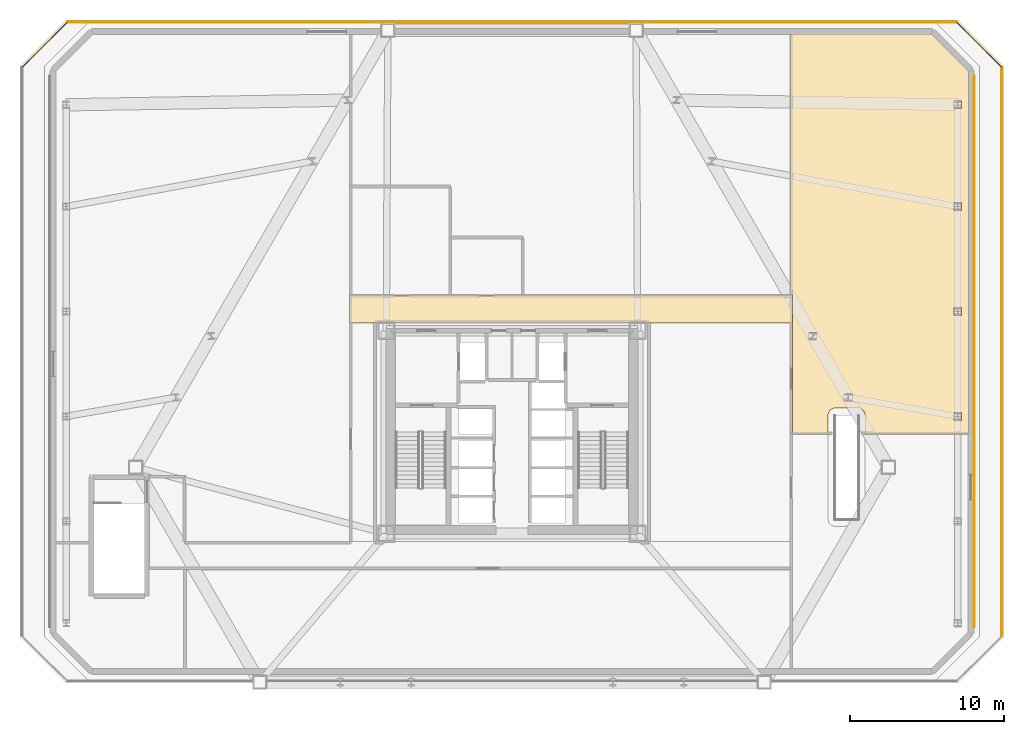
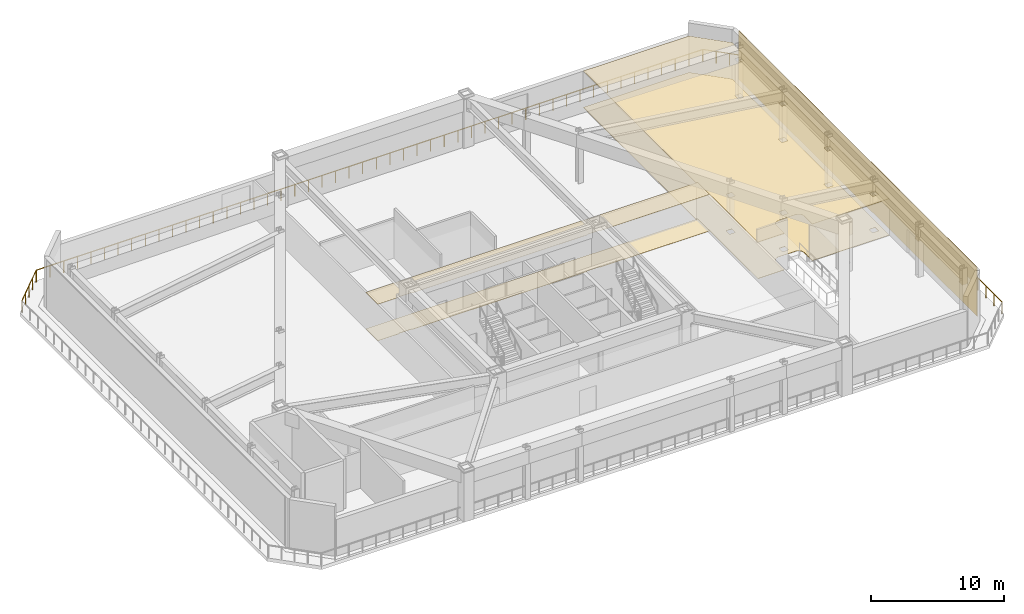
# One storey, part 10 of 10: 5 coverings, 4 railings.
"""IFC4 building model written with IfcOpenShell, lengths in metres."""

from ifc_helpers import new_model, si_unit, direction, frame, origin, origin_2d, place, context, subcontext, project, spatial, polyline, rectangle, circle, outline, extrude, material, layer, layer_set, type_object, element, save


model = new_model("IFC4")

# Units and contexts
model_context = context("Model", 3, precision=1e-05, world=origin(), true_north=direction((0.0, 1.0)))
body_context = subcontext(model_context, "Body", "Model", "MODEL_VIEW")
ifc_project = project(units=[si_unit("LENGTHUNIT", "METRE"), si_unit("AREAUNIT", "SQUARE_METRE"), si_unit("VOLUMEUNIT", "CUBIC_METRE"), si_unit("PLANEANGLEUNIT", "RADIAN"), si_unit("MASSUNIT", "GRAM", prefix="KILO")], contexts=[model_context])

# Site, building, storey
site_placement = place(None, origin())
site = spatial("IfcSite", under=ifc_project, at=site_placement, CompositionType="ELEMENT")
building_placement = place(site_placement, origin())
building = spatial("IfcBuilding", under=site, at=building_placement, Name="Oramaril Tower", CompositionType="ELEMENT")
storey_placement = place(building_placement, frame((0.0, 0.0, 22.5)))
storey = spatial("IfcBuildingStorey", under=building, at=storey_placement, Name="L05", CompositionType="ELEMENT", Elevation=22.5)

# Coverings
ifc_material_1 = material(Name="Mineral Fibre Acoustic Ceiling")
ifc_layer_1 = layer(ifc_material_1, 0.02001953125)
ifc_layer_set_1 = layer_set([ifc_layer_1], Name="CVT-CEIL")
covering_type_1 = type_object("IfcCoveringType", Name="CVT-CEIL", PredefinedType="CEILING", material=ifc_layer_set_1)
covering_1_placement = place(storey_placement, frame((0.0, 0.0, 3.342041015625)))
element("IfcCovering", 1, at=covering_1_placement, inside=storey, type_object=covering_type_1, Name="L05 Acoustic Suspended Ceiling 2", PredefinedType="CEILING", context=body_context, shape_type="SweptSolid", body=[
    extrude(outline(polyline([(55.679931640625, 26.47998046875), (55.679931640625, 24.669921875), (46.219970703125, 24.669921875), (46.219970703125, 24.719970703125), (45.080078125, 24.719970703125), (45.080078125, 24.669921875), (29.919921875, 24.669921875), (29.919921875, 24.719970703125), (28.780029296875, 24.719970703125), (28.780029296875, 24.669921875), (26.969970703125, 24.669921875), (26.969970703125, 26.47998046875), (55.679931640625, 26.47998046875)])), origin(), (0.0, 0.0, 1.0), 0.02001953125),
])
covering_2_placement = place(storey_placement, frame((0.0, 0.0, 3.342041015625)))
element("IfcCovering", 2, at=covering_2_placement, inside=storey, type_object=covering_type_1, Name="L05 Acoustic Suspended Ceiling 6", PredefinedType="CEILING", context=body_context, shape_type="SweptSolid", body=[
    extrude(outline(polyline([(67.08203125, 41.002685546875), (67.08203125, 17.4580078125), (60.403076171875, 17.4580078125), (60.403076171875, 18.66455078125), (60.381591796875, 18.80810546875), (60.32177734375, 18.9345703125), (60.227783203125, 19.038330078125), (60.10595703125, 19.111328125), (60.018310546875, 19.137939453125), (59.922119140625, 19.1474609375), (58.43017578125, 19.14501953125), (58.29248046875, 19.1103515625), (58.170654296875, 19.037353515625), (58.105712890625, 18.972412109375), (58.0537109375, 18.894775390625), (58.017822265625, 18.80810546875), (57.99951171875, 18.71630859375), (57.996826171875, 17.4580078125), (55.699951171875, 17.4580078125), (55.699951171875, 24.64990234375), (55.699951171875, 24.652099609375), (55.69970703125, 24.65380859375), (55.69921875, 24.65576171875), (55.698486328125, 24.65771484375), (55.697509765625, 24.659423828125), (55.697265625, 24.659912109375), (55.697509765625, 24.66064453125), (55.698486328125, 24.662353515625), (55.69921875, 24.664306640625), (55.69970703125, 24.666015625), (55.699951171875, 24.66796875), (55.699951171875, 24.669921875), (55.699951171875, 26.47998046875), (55.699951171875, 26.48193359375), (55.69970703125, 26.48388671875), (55.69921875, 26.48583984375), (55.698486328125, 26.48779296875), (55.697509765625, 26.489501953125), (55.696533203125, 26.4912109375), (55.695556640625, 26.49267578125), (55.694091796875, 26.494140625), (55.692626953125, 26.49560546875), (55.691162109375, 26.49658203125), (55.689453125, 26.49755859375), (55.687744140625, 26.49853515625), (55.685791015625, 26.4990234375), (55.683837890625, 26.49951171875), (55.681884765625, 26.5), (55.679931640625, 26.5), (55.55810546875, 26.5), (55.55810546875, 43.382080078125), (64.70263671875, 43.382080078125), (67.08203125, 41.002685546875)]), holes=[polyline([(66.652587890625, 18.8525390625), (66.1474609375, 18.8525390625), (66.1474609375, 18.347412109375), (66.652587890625, 18.347412109375), (66.652587890625, 18.8525390625)]), polyline([(59.544921875, 20.0869140625), (59.039794921875, 20.0869140625), (59.039794921875, 19.581787109375), (59.544921875, 19.581787109375), (59.544921875, 20.0869140625)]), polyline([(57.254150390625, 24.054443359375), (56.749267578125, 24.054443359375), (56.749267578125, 23.549560546875), (57.254150390625, 23.549560546875), (57.254150390625, 24.054443359375)]), polyline([(66.652587890625, 25.1474609375), (66.652587890625, 25.652587890625), (66.1474609375, 25.652587890625), (66.1474609375, 25.1474609375), (66.652587890625, 25.1474609375)]), polyline([(66.652587890625, 32.452392578125), (66.1474609375, 32.452392578125), (66.1474609375, 31.947509765625), (66.652587890625, 31.947509765625), (66.652587890625, 32.452392578125)]), polyline([(66.652587890625, 39.052490234375), (66.1474609375, 39.052490234375), (66.1474609375, 38.547607421875), (66.652587890625, 38.547607421875), (66.652587890625, 39.052490234375)])]), origin(), (0.0, 0.0, 1.0), 0.02001953125),
])
ifc_material_2 = material(Name="Warm Cream Limestone", Category="masonry")
ifc_layer_2 = layer(ifc_material_2, 0.050048828125)
ifc_layer_set_2 = layer_set([ifc_layer_2], Name="CVT-CLD")
covering_type_2 = type_object("IfcCoveringType", Name="CVT-CLD", PredefinedType="CLADDING", material=ifc_layer_set_2)
covering_3_placement = place(storey_placement, frame((67.462890625, 22.800048828125, 0.050048828125), z_axis=(0.0, 0.0, 1.0), x_axis=(0.0, 1.0, 0.0)))
element("IfcCovering", 3, at=covering_3_placement, inside=storey, type_object=covering_type_2, Name="L05 Warm Cream Limestone Cladding", PredefinedType="CLADDING", context=body_context, shape_type="SweptSolid", body=[
    extrude(rectangle(XDim=35.744384765625, YDim=0.050048828125, at=origin_2d()), origin(), (0.0, 0.0, 1.0), 4.4599609375),
])
ifc_material_3 = material(Name="Honed Quartzite Stone Flooring", Category="masonry")
ifc_layer_3 = layer(ifc_material_3, 0.02490234375)
ifc_layer_set_3 = layer_set([ifc_layer_3], Name="CVT-FLR")
covering_type_3 = type_object("IfcCoveringType", Name="CVT-FLR", PredefinedType="FLOORING", material=ifc_layer_set_3)
covering_4_placement = place(storey_placement, origin())
element("IfcCovering", 4, at=covering_4_placement, inside=storey, type_object=covering_type_3, Name="L05 Honed Stone Floor Finish 2", PredefinedType="FLOORING", context=body_context, shape_type="SweptSolid", body=[
    extrude(outline(polyline([(55.679931640625, 26.47998046875), (55.679931640625, 24.669921875), (46.219970703125, 24.669921875), (46.219970703125, 24.719970703125), (45.080078125, 24.719970703125), (45.080078125, 24.669921875), (29.919921875, 24.669921875), (29.919921875, 24.719970703125), (28.780029296875, 24.719970703125), (28.780029296875, 24.669921875), (26.969970703125, 24.669921875), (26.969970703125, 26.47998046875), (55.679931640625, 26.47998046875)])), origin(), (0.0, 0.0, 1.0), 0.02490234375),
])
covering_5_placement = place(storey_placement, origin())
element("IfcCovering", 5, at=covering_5_placement, inside=storey, type_object=covering_type_3, Name="L05 Honed Stone Floor Finish 6", PredefinedType="FLOORING", context=body_context, shape_type="SweptSolid", body=[
    extrude(outline(polyline([(67.08203125, 41.002685546875), (67.08203125, 17.4580078125), (60.403076171875, 17.4580078125), (60.403076171875, 18.66455078125), (60.381591796875, 18.80810546875), (60.32177734375, 18.9345703125), (60.227783203125, 19.038330078125), (60.10595703125, 19.111328125), (60.018310546875, 19.137939453125), (59.922119140625, 19.1474609375), (58.43017578125, 19.14501953125), (58.29248046875, 19.1103515625), (58.170654296875, 19.037353515625), (58.105712890625, 18.972412109375), (58.0537109375, 18.894775390625), (58.017822265625, 18.80810546875), (57.99951171875, 18.71630859375), (57.996826171875, 17.4580078125), (55.699951171875, 17.4580078125), (55.699951171875, 24.64990234375), (55.699951171875, 24.652099609375), (55.69970703125, 24.65380859375), (55.69921875, 24.65576171875), (55.698486328125, 24.65771484375), (55.697509765625, 24.659423828125), (55.697265625, 24.659912109375), (55.697509765625, 24.66064453125), (55.698486328125, 24.662353515625), (55.69921875, 24.664306640625), (55.69970703125, 24.666015625), (55.699951171875, 24.66796875), (55.699951171875, 24.669921875), (55.699951171875, 26.47998046875), (55.699951171875, 26.48193359375), (55.69970703125, 26.48388671875), (55.69921875, 26.48583984375), (55.698486328125, 26.48779296875), (55.697509765625, 26.489501953125), (55.696533203125, 26.4912109375), (55.695556640625, 26.49267578125), (55.694091796875, 26.494140625), (55.692626953125, 26.49560546875), (55.691162109375, 26.49658203125), (55.689453125, 26.49755859375), (55.687744140625, 26.49853515625), (55.685791015625, 26.4990234375), (55.683837890625, 26.49951171875), (55.681884765625, 26.5), (55.679931640625, 26.5), (55.55810546875, 26.5), (55.55810546875, 43.382080078125), (64.70263671875, 43.382080078125), (67.08203125, 41.002685546875)]), holes=[polyline([(66.652587890625, 18.8525390625), (66.1474609375, 18.8525390625), (66.1474609375, 18.347412109375), (66.652587890625, 18.347412109375), (66.652587890625, 18.8525390625)]), polyline([(59.544921875, 20.0869140625), (59.039794921875, 20.0869140625), (59.039794921875, 19.581787109375), (59.544921875, 19.581787109375), (59.544921875, 20.0869140625)]), polyline([(57.254150390625, 24.054443359375), (56.749267578125, 24.054443359375), (56.749267578125, 23.549560546875), (57.254150390625, 23.549560546875), (57.254150390625, 24.054443359375)]), polyline([(66.652587890625, 25.1474609375), (66.652587890625, 25.652587890625), (66.1474609375, 25.652587890625), (66.1474609375, 25.1474609375), (66.652587890625, 25.1474609375)]), polyline([(66.652587890625, 32.452392578125), (66.1474609375, 32.452392578125), (66.1474609375, 31.947509765625), (66.652587890625, 31.947509765625), (66.652587890625, 32.452392578125)]), polyline([(66.652587890625, 39.052490234375), (66.1474609375, 39.052490234375), (66.1474609375, 38.547607421875), (66.652587890625, 38.547607421875), (66.652587890625, 39.052490234375)])]), origin(), (0.0, 0.0, 1.0), 0.02490234375),
])

# Railings
ifc_material_4 = material(Name="Stainless Steel 316L", Category="steel")
railing_type = type_object("IfcRailingType", Name="RLT-GRD", PredefinedType="GUARDRAIL", material=ifc_material_4)
railing_1_placement = place(storey_placement, frame((69.260009765625, 4.387939453125, 0.0)))
element("IfcRailing", 6, at=railing_1_placement, inside=storey, type_object=railing_type, Name="L05 Podium Terrace Guardrail 03", PredefinedType="GUARDRAIL", context=body_context, shape_type="SweptSolid", body=[
    extrude(circle(Radius=0.02392578125, at=origin_2d()), frame((0.0, 0.0, 1.076171875), z_axis=(0.0, 1.0, 0.0), x_axis=(-1.0, 0.0, 0.0)), (0.0, 0.0, 1.0), 36.823974609375),
    extrude(circle(Radius=0.02099609375, at=origin_2d()), origin(), (0.0, 0.0, 1.0), 1.052001953125),
    extrude(circle(Radius=0.02099609375, at=origin_2d()), frame((0.0, 1.18798828125, 0.0)), (0.0, 0.0, 1.0), 1.052001953125),
    extrude(circle(Radius=0.02099609375, at=origin_2d()), frame((0.0, 2.375732421875, 0.0)), (0.0, 0.0, 1.0), 1.052001953125),
    extrude(circle(Radius=0.02099609375, at=origin_2d()), frame((0.0, 3.563720703125, 0.0)), (0.0, 0.0, 1.0), 1.052001953125),
    extrude(circle(Radius=0.02099609375, at=origin_2d()), frame((0.0, 4.75146484375, 0.0)), (0.0, 0.0, 1.0), 1.052001953125),
    extrude(circle(Radius=0.02099609375, at=origin_2d()), frame((0.0, 5.939453125, 0.0)), (0.0, 0.0, 1.0), 1.052001953125),
    extrude(circle(Radius=0.02099609375, at=origin_2d()), frame((0.0, 7.127197265625, 0.0)), (0.0, 0.0, 1.0), 1.052001953125),
    extrude(circle(Radius=0.02099609375, at=origin_2d()), frame((0.0, 8.315185546875, 0.0)), (0.0, 0.0, 1.0), 1.052001953125),
    extrude(circle(Radius=0.02099609375, at=origin_2d()), frame((0.0, 9.5029296875, 0.0)), (0.0, 0.0, 1.0), 1.052001953125),
    extrude(circle(Radius=0.02099609375, at=origin_2d()), frame((0.0, 10.69091796875, 0.0)), (0.0, 0.0, 1.0), 1.052001953125),
    extrude(circle(Radius=0.02099609375, at=origin_2d()), frame((0.0, 11.878662109375, 0.0)), (0.0, 0.0, 1.0), 1.052001953125),
    extrude(circle(Radius=0.02099609375, at=origin_2d()), frame((0.0, 13.066650390625, 0.0)), (0.0, 0.0, 1.0), 1.052001953125),
    extrude(circle(Radius=0.02099609375, at=origin_2d()), frame((0.0, 14.25439453125, 0.0)), (0.0, 0.0, 1.0), 1.052001953125),
    extrude(circle(Radius=0.02099609375, at=origin_2d()), frame((0.0, 15.4423828125, 0.0)), (0.0, 0.0, 1.0), 1.052001953125),
    extrude(circle(Radius=0.02099609375, at=origin_2d()), frame((0.0, 16.630126953125, 0.0)), (0.0, 0.0, 1.0), 1.052001953125),
    extrude(circle(Radius=0.02099609375, at=origin_2d()), frame((0.0, 17.818115234375, 0.0)), (0.0, 0.0, 1.0), 1.052001953125),
    extrude(circle(Radius=0.02099609375, at=origin_2d()), frame((0.0, 19.005859375, 0.0)), (0.0, 0.0, 1.0), 1.052001953125),
    extrude(circle(Radius=0.02099609375, at=origin_2d()), frame((0.0, 20.19384765625, 0.0)), (0.0, 0.0, 1.0), 1.052001953125),
    extrude(circle(Radius=0.02099609375, at=origin_2d()), frame((0.0, 21.381591796875, 0.0)), (0.0, 0.0, 1.0), 1.052001953125),
    extrude(circle(Radius=0.02099609375, at=origin_2d()), frame((0.0, 22.569580078125, 0.0)), (0.0, 0.0, 1.0), 1.052001953125),
    extrude(circle(Radius=0.02099609375, at=origin_2d()), frame((0.0, 23.75732421875, 0.0)), (0.0, 0.0, 1.0), 1.052001953125),
    extrude(circle(Radius=0.02099609375, at=origin_2d()), frame((0.0, 24.9453125, 0.0)), (0.0, 0.0, 1.0), 1.052001953125),
    extrude(circle(Radius=0.02099609375, at=origin_2d()), frame((0.0, 26.133056640625, 0.0)), (0.0, 0.0, 1.0), 1.052001953125),
    extrude(circle(Radius=0.02099609375, at=origin_2d()), frame((0.0, 27.321044921875, 0.0)), (0.0, 0.0, 1.0), 1.052001953125),
    extrude(circle(Radius=0.02099609375, at=origin_2d()), frame((0.0, 28.5087890625, 0.0)), (0.0, 0.0, 1.0), 1.052001953125),
    extrude(circle(Radius=0.02099609375, at=origin_2d()), frame((0.0, 29.69677734375, 0.0)), (0.0, 0.0, 1.0), 1.052001953125),
    extrude(circle(Radius=0.02099609375, at=origin_2d()), frame((0.0, 30.884521484375, 0.0)), (0.0, 0.0, 1.0), 1.052001953125),
    extrude(circle(Radius=0.02099609375, at=origin_2d()), frame((0.0, 32.072509765625, 0.0)), (0.0, 0.0, 1.0), 1.052001953125),
    extrude(circle(Radius=0.02099609375, at=origin_2d()), frame((0.0, 33.26025390625, 0.0)), (0.0, 0.0, 1.0), 1.052001953125),
    extrude(circle(Radius=0.02099609375, at=origin_2d()), frame((0.0, 34.4482421875, 0.0)), (0.0, 0.0, 1.0), 1.052001953125),
    extrude(circle(Radius=0.02099609375, at=origin_2d()), frame((0.0, 35.635986328125, 0.0)), (0.0, 0.0, 1.0), 1.052001953125),
    extrude(circle(Radius=0.02099609375, at=origin_2d()), frame((0.0, 36.823974609375, 0.0)), (0.0, 0.0, 1.0), 1.052001953125),
])
railing_2_placement = place(storey_placement, frame((69.23876953125, 41.26318359375, 0.0)))
element("IfcRailing", 7, at=railing_2_placement, inside=storey, type_object=railing_type, Name="L05 Podium Terrace Guardrail 04", PredefinedType="GUARDRAIL", context=body_context, shape_type="SweptSolid", body=[
    extrude(circle(Radius=0.02392578125, at=origin_2d()), frame((0.0, 0.0, 1.076171875), z_axis=(-0.707076763706, 0.707136797393, 0.0), x_axis=(-0.707136797393, -0.707076763706, 0.0)), (0.0, 0.0, 1.0), 4.066650390625),
    extrude(circle(Radius=0.02099609375, at=origin_2d()), origin(), (0.0, 0.0, 1.0), 1.052001953125),
    extrude(circle(Radius=0.02099609375, at=origin_2d()), frame((-0.71875, 0.718994140625, 0.0)), (0.0, 0.0, 1.0), 1.052001953125),
    extrude(circle(Radius=0.02099609375, at=origin_2d()), frame((-1.437744140625, 1.43798828125, 0.0)), (0.0, 0.0, 1.0), 1.052001953125),
    extrude(circle(Radius=0.02099609375, at=origin_2d()), frame((-2.15673828125, 2.15673828125, 0.0)), (0.0, 0.0, 1.0), 1.052001953125),
    extrude(circle(Radius=0.02099609375, at=origin_2d()), frame((-2.87548828125, 2.875732421875, 0.0)), (0.0, 0.0, 1.0), 1.052001953125),
])
railing_3_placement = place(storey_placement, frame((66.31201171875, 44.159912109375, 0.0)))
element("IfcRailing", 8, at=railing_3_placement, inside=storey, type_object=railing_type, Name="L05 Podium Terrace Guardrail 05", PredefinedType="GUARDRAIL", context=body_context, shape_type="SweptSolid", body=[
    extrude(circle(Radius=0.02392578125, at=origin_2d()), frame((0.0, 0.0, 1.076171875), z_axis=(-1.0, 0.0, 0.0), x_axis=(0.0, -1.0, 0.0)), (0.0, 0.0, 1.0), 57.6240234375),
    extrude(circle(Radius=0.02099609375, at=origin_2d()), origin(), (0.0, 0.0, 1.0), 1.052001953125),
    extrude(circle(Radius=0.02099609375, at=origin_2d()), frame((-1.176025390625, 0.0, 0.0)), (0.0, 0.0, 1.0), 1.052001953125),
    extrude(circle(Radius=0.02099609375, at=origin_2d()), frame((-2.35205078125, 0.0, 0.0)), (0.0, 0.0, 1.0), 1.052001953125),
    extrude(circle(Radius=0.02099609375, at=origin_2d()), frame((-3.528076171875, 0.0, 0.0)), (0.0, 0.0, 1.0), 1.052001953125),
    extrude(circle(Radius=0.02099609375, at=origin_2d()), frame((-4.7041015625, 0.0, 0.0)), (0.0, 0.0, 1.0), 1.052001953125),
    extrude(circle(Radius=0.02099609375, at=origin_2d()), frame((-5.8798828125, 0.0, 0.0)), (0.0, 0.0, 1.0), 1.052001953125),
    extrude(circle(Radius=0.02099609375, at=origin_2d()), frame((-7.055908203125, 0.0, 0.0)), (0.0, 0.0, 1.0), 1.052001953125),
    extrude(circle(Radius=0.02099609375, at=origin_2d()), frame((-8.23193359375, 0.0, 0.0)), (0.0, 0.0, 1.0), 1.052001953125),
    extrude(circle(Radius=0.02099609375, at=origin_2d()), frame((-9.407958984375, 0.0, 0.0)), (0.0, 0.0, 1.0), 1.052001953125),
    extrude(circle(Radius=0.02099609375, at=origin_2d()), frame((-10.583984375, 0.0, 0.0)), (0.0, 0.0, 1.0), 1.052001953125),
    extrude(circle(Radius=0.02099609375, at=origin_2d()), frame((-11.760009765625, 0.0, 0.0)), (0.0, 0.0, 1.0), 1.052001953125),
    extrude(circle(Radius=0.02099609375, at=origin_2d()), frame((-12.93603515625, 0.0, 0.0)), (0.0, 0.0, 1.0), 1.052001953125),
    extrude(circle(Radius=0.02099609375, at=origin_2d()), frame((-14.112060546875, 0.0, 0.0)), (0.0, 0.0, 1.0), 1.052001953125),
    extrude(circle(Radius=0.02099609375, at=origin_2d()), frame((-15.2880859375, 0.0, 0.0)), (0.0, 0.0, 1.0), 1.052001953125),
    extrude(circle(Radius=0.02099609375, at=origin_2d()), frame((-16.464111328125, 0.0, 0.0)), (0.0, 0.0, 1.0), 1.052001953125),
    extrude(circle(Radius=0.02099609375, at=origin_2d()), frame((-17.639892578125, 0.0, 0.0)), (0.0, 0.0, 1.0), 1.052001953125),
    extrude(circle(Radius=0.02099609375, at=origin_2d()), frame((-18.81591796875, 0.0, 0.0)), (0.0, 0.0, 1.0), 1.052001953125),
    extrude(circle(Radius=0.02099609375, at=origin_2d()), frame((-19.991943359375, 0.0, 0.0)), (0.0, 0.0, 1.0), 1.052001953125),
    extrude(circle(Radius=0.02099609375, at=origin_2d()), frame((-21.16796875, 0.0, 0.0)), (0.0, 0.0, 1.0), 1.052001953125),
    extrude(circle(Radius=0.02099609375, at=origin_2d()), frame((-22.343994140625, 0.0, 0.0)), (0.0, 0.0, 1.0), 1.052001953125),
    extrude(circle(Radius=0.02099609375, at=origin_2d()), frame((-23.52001953125, 0.0, 0.0)), (0.0, 0.0, 1.0), 1.052001953125),
    extrude(circle(Radius=0.02099609375, at=origin_2d()), frame((-24.696044921875, 0.0, 0.0)), (0.0, 0.0, 1.0), 1.052001953125),
    extrude(circle(Radius=0.02099609375, at=origin_2d()), frame((-25.8720703125, 0.0, 0.0)), (0.0, 0.0, 1.0), 1.052001953125),
    extrude(circle(Radius=0.02099609375, at=origin_2d()), frame((-27.048095703125, 0.0, 0.0)), (0.0, 0.0, 1.0), 1.052001953125),
    extrude(circle(Radius=0.02099609375, at=origin_2d()), frame((-28.22412109375, 0.0, 0.0)), (0.0, 0.0, 1.0), 1.052001953125),
    extrude(circle(Radius=0.02099609375, at=origin_2d()), frame((-29.39990234375, 0.0, 0.0)), (0.0, 0.0, 1.0), 1.052001953125),
    extrude(circle(Radius=0.02099609375, at=origin_2d()), frame((-30.575927734375, 0.0, 0.0)), (0.0, 0.0, 1.0), 1.052001953125),
    extrude(circle(Radius=0.02099609375, at=origin_2d()), frame((-31.751953125, 0.0, 0.0)), (0.0, 0.0, 1.0), 1.052001953125),
    extrude(circle(Radius=0.02099609375, at=origin_2d()), frame((-32.927978515625, 0.0, 0.0)), (0.0, 0.0, 1.0), 1.052001953125),
    extrude(circle(Radius=0.02099609375, at=origin_2d()), frame((-34.10400390625, 0.0, 0.0)), (0.0, 0.0, 1.0), 1.052001953125),
    extrude(circle(Radius=0.02099609375, at=origin_2d()), frame((-35.280029296875, 0.0, 0.0)), (0.0, 0.0, 1.0), 1.052001953125),
    extrude(circle(Radius=0.02099609375, at=origin_2d()), frame((-36.4560546875, 0.0, 0.0)), (0.0, 0.0, 1.0), 1.052001953125),
    extrude(circle(Radius=0.02099609375, at=origin_2d()), frame((-37.632080078125, 0.0, 0.0)), (0.0, 0.0, 1.0), 1.052001953125),
    extrude(circle(Radius=0.02099609375, at=origin_2d()), frame((-38.80810546875, 0.0, 0.0)), (0.0, 0.0, 1.0), 1.052001953125),
    extrude(circle(Radius=0.02099609375, at=origin_2d()), frame((-39.984130859375, 0.0, 0.0)), (0.0, 0.0, 1.0), 1.052001953125),
    extrude(circle(Radius=0.02099609375, at=origin_2d()), frame((-41.159912109375, 0.0, 0.0)), (0.0, 0.0, 1.0), 1.052001953125),
    extrude(circle(Radius=0.02099609375, at=origin_2d()), frame((-42.3359375, 0.0, 0.0)), (0.0, 0.0, 1.0), 1.052001953125),
    extrude(circle(Radius=0.02099609375, at=origin_2d()), frame((-43.511962890625, 0.0, 0.0)), (0.0, 0.0, 1.0), 1.052001953125),
    extrude(circle(Radius=0.02099609375, at=origin_2d()), frame((-44.68798828125, 0.0, 0.0)), (0.0, 0.0, 1.0), 1.052001953125),
    extrude(circle(Radius=0.02099609375, at=origin_2d()), frame((-45.864013671875, 0.0, 0.0)), (0.0, 0.0, 1.0), 1.052001953125),
    extrude(circle(Radius=0.02099609375, at=origin_2d()), frame((-47.0400390625, 0.0, 0.0)), (0.0, 0.0, 1.0), 1.052001953125),
    extrude(circle(Radius=0.02099609375, at=origin_2d()), frame((-48.216064453125, 0.0, 0.0)), (0.0, 0.0, 1.0), 1.052001953125),
    extrude(circle(Radius=0.02099609375, at=origin_2d()), frame((-49.39208984375, 0.0, 0.0)), (0.0, 0.0, 1.0), 1.052001953125),
    extrude(circle(Radius=0.02099609375, at=origin_2d()), frame((-50.568115234375, 0.0, 0.0)), (0.0, 0.0, 1.0), 1.052001953125),
    extrude(circle(Radius=0.02099609375, at=origin_2d()), frame((-51.744140625, 0.0, 0.0)), (0.0, 0.0, 1.0), 1.052001953125),
    extrude(circle(Radius=0.02099609375, at=origin_2d()), frame((-52.919921875, 0.0, 0.0)), (0.0, 0.0, 1.0), 1.052001953125),
    extrude(circle(Radius=0.02099609375, at=origin_2d()), frame((-54.095947265625, 0.0, 0.0)), (0.0, 0.0, 1.0), 1.052001953125),
    extrude(circle(Radius=0.02099609375, at=origin_2d()), frame((-55.27197265625, 0.0, 0.0)), (0.0, 0.0, 1.0), 1.052001953125),
    extrude(circle(Radius=0.02099609375, at=origin_2d()), frame((-56.447998046875, 0.0, 0.0)), (0.0, 0.0, 1.0), 1.052001953125),
    extrude(circle(Radius=0.02099609375, at=origin_2d()), frame((-57.6240234375, 0.0, 0.0)), (0.0, 0.0, 1.0), 1.052001953125),
])
railing_4_placement = place(storey_placement, frame((8.63671875, 44.138916015625, 0.0)))
element("IfcRailing", 9, at=railing_4_placement, inside=storey, type_object=railing_type, Name="L05 Podium Terrace Guardrail 06", PredefinedType="GUARDRAIL", context=body_context, shape_type="SweptSolid", body=[
    extrude(circle(Radius=0.02392578125, at=origin_2d()), frame((0.0, 0.0, 1.076171875), z_axis=(-0.707076763706, -0.707136797393, 0.0), x_axis=(0.707136797393, -0.707076763706, 0.0)), (0.0, 0.0, 1.0), 4.066650390625),
    extrude(circle(Radius=0.02099609375, at=origin_2d()), origin(), (0.0, 0.0, 1.0), 1.052001953125),
    extrude(circle(Radius=0.02099609375, at=origin_2d()), frame((-0.71875, -0.718994140625, 0.0)), (0.0, 0.0, 1.0), 1.052001953125),
    extrude(circle(Radius=0.02099609375, at=origin_2d()), frame((-1.437744140625, -1.43798828125, 0.0)), (0.0, 0.0, 1.0), 1.052001953125),
    extrude(circle(Radius=0.02099609375, at=origin_2d()), frame((-2.15673828125, -2.15673828125, 0.0)), (0.0, 0.0, 1.0), 1.052001953125),
    extrude(circle(Radius=0.02099609375, at=origin_2d()), frame((-2.87548828125, -2.875732421875, 0.0)), (0.0, 0.0, 1.0), 1.052001953125),
])

save(model, "model.ifc")
